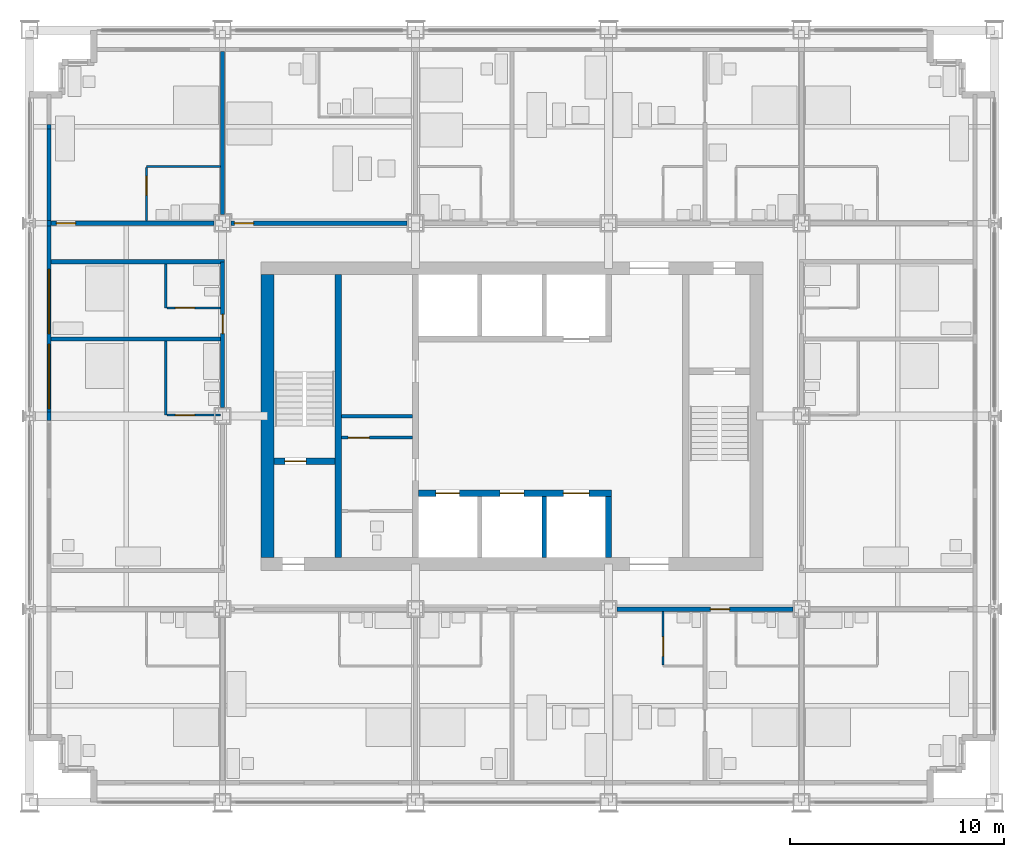
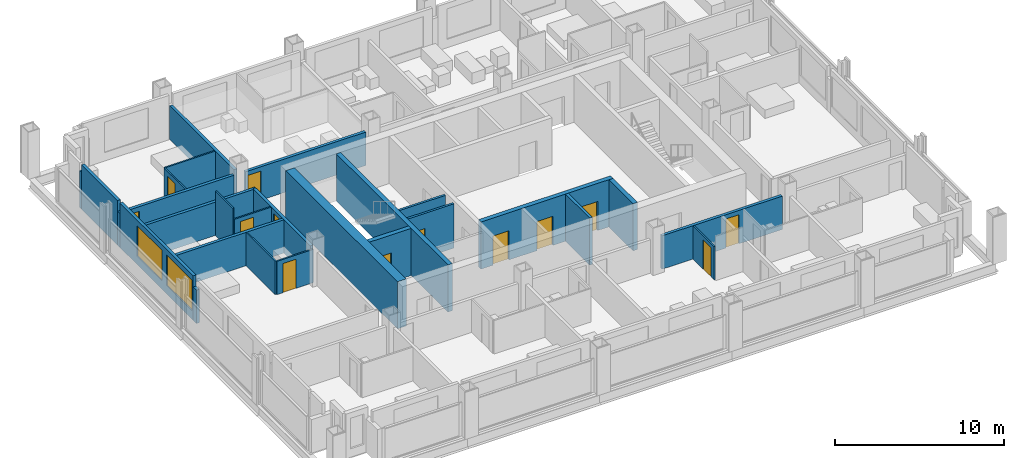
# One storey, part 10 of 16: 27 walls, 13 doors, 2 windows, 15 openings.
"""IFC4 building model written with IfcOpenShell, lengths in metres."""

from ifc_helpers import new_model, si_unit, direction, frame, frame_2d, origin, place, context, subcontext, project, spatial, rectangle, extrude, material, layer, layer_set, type_object, element, fill, save


model = new_model("IFC4")

# Units and contexts
model_context = context("Model", 3, precision=1e-05, world=origin(), true_north=direction((0.0, 1.0)))
body_context = subcontext(model_context, "Body", "Model", "MODEL_VIEW")
ifc_project = project(units=[si_unit("LENGTHUNIT", "METRE"), si_unit("AREAUNIT", "SQUARE_METRE"), si_unit("VOLUMEUNIT", "CUBIC_METRE"), si_unit("PLANEANGLEUNIT", "RADIAN"), si_unit("MASSUNIT", "GRAM", prefix="KILO")], contexts=[model_context])

# Site, building, storey
site_placement = place(None, origin())
site = spatial("IfcSite", under=ifc_project, at=site_placement, CompositionType="ELEMENT")
building_placement = place(site_placement, origin())
building = spatial("IfcBuilding", under=site, at=building_placement, Name="Loomwork Tower", CompositionType="ELEMENT")
storey_placement = place(building_placement, frame((0.0, 0.0, 148.60009765625)))
storey = spatial("IfcBuildingStorey", under=building, at=storey_placement, Name="L40", CompositionType="ELEMENT", Elevation=148.60009765625)

# Wall
ifc_material_1 = material(Name="Concrete 14000 psi (97 MPa)", Category="concrete")
ifc_layer_1 = layer(ifc_material_1, 0.300048828125)
ifc_layer_set_1 = layer_set([ifc_layer_1], Name="Core shear wall 300")
wall_type_1 = type_object("IfcWallType", Name="Core shear wall 300", PredefinedType="SHEAR", material=ifc_layer_set_1)
wall_1_placement = place(storey_placement, frame((14.39990234375, 11.39990234375, 0.0), z_axis=(0.0, 0.0, 1.0), x_axis=(0.0, 1.0, 0.0)))
element("IfcWall", 1, at=wall_1_placement, inside=storey, type_object=wall_type_1, Name="Stair A east wall L40", PredefinedType="SHEAR", context=body_context, shape_type="SweptSolid", body=[
    extrude(rectangle(XDim=13.2001953125, YDim=0.300048828125, at=frame_2d((6.60009765625, 0.0))), origin(), (0.0, 0.0, 1.0), 3.39990234375),
])

# Wall, opening, door
wall_2_placement = place(storey_placement, frame((11.39990234375, 15.89990234375, 0.0), z_axis=(0.0, 0.0, 1.0), x_axis=(1.0, 0.0, 0.0)))
wall_2 = element("IfcWall", 2, at=wall_2_placement, inside=storey, type_object=wall_type_1, Name="Stair A south wall L40", PredefinedType="SHEAR", context=body_context, shape_type="SweptSolid", body=[
    extrude(rectangle(XDim=2.85009765625, YDim=0.300048828125, at=frame_2d((1.425048828125, 0.0))), origin(), (0.0, 0.0, 1.0), 3.39990234375),
])
opening_1_placement = place(wall_2_placement, frame((0.5, 0.0, 0.0)))
opening_1 = element("IfcOpeningElement", 3, at=opening_1_placement, cuts=wall_2, Name="Opening D4", PredefinedType="OPENING", context=body_context, shape_type="SweptSolid", body=[
    extrude(rectangle(XDim=1.0, YDim=2.10009765625, at=frame_2d((0.5, 1.050048828125))), frame((0.0, 0.159912109375, 0.0), z_axis=(0.0, -1.0, 0.0), x_axis=(1.0, 0.0, 0.0)), (0.0, 0.0, 1.0), 0.320068359375),
])
ifc_material_2 = material(Name="Hollow metal door and frame")
door_type_1 = type_object("IfcDoorType", Name="Stair door 1000", OperationType="SINGLE_SWING_RIGHT", PredefinedType="DOOR", material=ifc_material_2)
door_1_placement = place(opening_1_placement, origin())
door_1 = element("IfcDoor", 4, at=door_1_placement, inside=storey, type_object=door_type_1, Name="Stair A door", OperationType="SINGLE_SWING_LEFT", OverallHeight=2.10009765625, OverallWidth=1.0, PredefinedType="DOOR", context=body_context, shape_type="SweptSolid", body=[
    extrude(rectangle(XDim=1.0, YDim=2.10009765625, at=frame_2d((0.5, 1.050048828125))), frame((0.0, 0.02490234375, 0.0), z_axis=(0.0, -1.0, 0.0), x_axis=(1.0, 0.0, 0.0)), (0.0, 0.0, 1.0), 0.050048828125),
])
fill(opening_1, door_1)

# Wall, openings, doors
wall_3_placement = place(storey_placement, frame((18.14990234375, 14.39990234375, 0.0), z_axis=(0.0, 0.0, 1.0), x_axis=(1.0, 0.0, 0.0)))
wall_3 = element("IfcWall", 5, at=wall_3_placement, inside=storey, type_object=wall_type_1, Name="Lift front wall south L40", PredefinedType="SHEAR", context=body_context, shape_type="SweptSolid", body=[
    extrude(rectangle(XDim=9.0, YDim=0.300048828125, at=frame_2d((4.5, 0.0))), origin(), (0.0, 0.0, 1.0), 3.39990234375),
])
opening_2_placement = place(wall_3_placement, frame((0.800048828125, 0.0, 0.0)))
opening_2 = element("IfcOpeningElement", 6, at=opening_2_placement, cuts=wall_3, Name="Opening LD1", PredefinedType="OPENING", context=body_context, shape_type="SweptSolid", body=[
    extrude(rectangle(XDim=1.10009765625, YDim=2.10009765625, at=frame_2d((0.550048828125, 1.050048828125))), frame((0.0, 0.159912109375, 0.0), z_axis=(0.0, -1.0, 0.0), x_axis=(1.0, 0.0, 0.0)), (0.0, 0.0, 1.0), 0.320068359375),
])
opening_3_placement = place(wall_3_placement, frame((3.800048828125, 0.0, 0.0)))
opening_3 = element("IfcOpeningElement", 7, at=opening_3_placement, cuts=wall_3, Name="Opening LD1", PredefinedType="OPENING", context=body_context, shape_type="SweptSolid", body=[
    extrude(rectangle(XDim=1.10009765625, YDim=2.10009765625, at=frame_2d((0.550048828125, 1.050048828125))), frame((0.0, 0.159912109375, 0.0), z_axis=(0.0, -1.0, 0.0), x_axis=(1.0, 0.0, 0.0)), (0.0, 0.0, 1.0), 0.320068359375),
])
opening_4_placement = place(wall_3_placement, frame((6.75, 0.0, 0.0)))
opening_4 = element("IfcOpeningElement", 8, at=opening_4_placement, cuts=wall_3, Name="Opening LD2", PredefinedType="OPENING", context=body_context, shape_type="SweptSolid", body=[
    extrude(rectangle(XDim=1.199951171875, YDim=2.10009765625, at=frame_2d((0.60009765625, 1.050048828125))), frame((0.0, 0.159912109375, 0.0), z_axis=(0.0, -1.0, 0.0), x_axis=(1.0, 0.0, 0.0)), (0.0, 0.0, 1.0), 0.320068359375),
])
ifc_material_3 = material(Name="Hollow metal door and frame")
door_type_2 = type_object("IfcDoorType", Name="Lift landing door 1100", OperationType="SLIDING_TO_LEFT", PredefinedType="DOOR", material=ifc_material_3)
door_2_placement = place(opening_2_placement, origin())
door_2 = element("IfcDoor", 9, at=door_2_placement, inside=storey, type_object=door_type_2, Name="Lift landing door LB1", OperationType="SLIDING_TO_LEFT", OverallHeight=2.10009765625, OverallWidth=1.10009765625, PredefinedType="DOOR", context=body_context, shape_type="SweptSolid", body=[
    extrude(rectangle(XDim=1.10009765625, YDim=2.10009765625, at=frame_2d((0.550048828125, 1.050048828125))), frame((0.0, 0.02490234375, 0.0), z_axis=(0.0, -1.0, 0.0), x_axis=(1.0, 0.0, 0.0)), (0.0, 0.0, 1.0), 0.050048828125),
])
fill(opening_2, door_2)
door_3_placement = place(opening_3_placement, origin())
door_3 = element("IfcDoor", 10, at=door_3_placement, inside=storey, type_object=door_type_2, Name="Lift landing door LB2", OperationType="SLIDING_TO_LEFT", OverallHeight=2.10009765625, OverallWidth=1.10009765625, PredefinedType="DOOR", context=body_context, shape_type="SweptSolid", body=[
    extrude(rectangle(XDim=1.10009765625, YDim=2.10009765625, at=frame_2d((0.550048828125, 1.050048828125))), frame((0.0, 0.02490234375, 0.0), z_axis=(0.0, -1.0, 0.0), x_axis=(1.0, 0.0, 0.0)), (0.0, 0.0, 1.0), 0.050048828125),
])
fill(opening_3, door_3)
ifc_material_4 = material(Name="Hollow metal door and frame")
door_type_3 = type_object("IfcDoorType", Name="Lift landing door 1200", OperationType="SLIDING_TO_LEFT", PredefinedType="DOOR", material=ifc_material_4)
door_4_placement = place(opening_4_placement, origin())
door_4 = element("IfcDoor", 11, at=door_4_placement, inside=storey, type_object=door_type_3, Name="Lift landing door LF1", OperationType="SLIDING_TO_LEFT", OverallHeight=2.10009765625, OverallWidth=1.199951171875, PredefinedType="DOOR", context=body_context, shape_type="SweptSolid", body=[
    extrude(rectangle(XDim=1.199951171875, YDim=2.10009765625, at=frame_2d((0.60009765625, 1.050048828125))), frame((0.0, 0.02490234375, 0.0), z_axis=(0.0, -1.0, 0.0), x_axis=(1.0, 0.0, 0.0)), (0.0, 0.0, 1.0), 0.050048828125),
])
fill(opening_4, door_4)

# Walls
wall_4_placement = place(storey_placement, frame((27.0, 11.39990234375, 0.0), z_axis=(0.0, 0.0, 1.0), x_axis=(0.0, 1.0, 0.0)))
element("IfcWall", 12, at=wall_4_placement, inside=storey, type_object=wall_type_1, Name="Lift shaft end wall south L40", PredefinedType="SHEAR", context=body_context, shape_type="SweptSolid", body=[
    extrude(rectangle(XDim=2.85009765625, YDim=0.300048828125, at=frame_2d((1.425048828125, 0.0))), origin(), (0.0, 0.0, 1.0), 3.39990234375),
])
ifc_material_5 = material(Name="Concrete 14000 psi (97 MPa)", Category="concrete")
ifc_layer_2 = layer(ifc_material_5, 0.60009765625)
ifc_layer_set_2 = layer_set([ifc_layer_2], Name="Core shear wall 600")
wall_type_2 = type_object("IfcWallType", Name="Core shear wall 600", PredefinedType="SHEAR", material=ifc_layer_set_2)
wall_5_placement = place(storey_placement, frame((11.10009765625, 11.39990234375, 0.0), z_axis=(0.0, 0.0, 1.0), x_axis=(0.0, 1.0, 0.0)))
element("IfcWall", 13, at=wall_5_placement, inside=storey, type_object=wall_type_2, Name="Core wall west L40", PredefinedType="SHEAR", context=body_context, shape_type="SweptSolid", body=[
    extrude(rectangle(XDim=13.2001953125, YDim=0.60009765625, at=frame_2d((6.60009765625, 0.0))), origin(), (0.0, 0.0, 1.0), 3.39990234375),
])

# Wall, opening, door
ifc_material_6 = material(Name="Gypsum board on steel studs, one-hour", Category="steel")
ifc_layer_3 = layer(ifc_material_6, 0.199951171875)
ifc_layer_set_3 = layer_set([ifc_layer_3], Name="Corridor wall 200")
wall_type_3 = type_object("IfcWallType", Name="Corridor wall 200", PredefinedType="PARTITIONING", material=ifc_layer_set_3)
wall_6_placement = place(storey_placement, frame((27.39990234375, 9.0, 0.0), z_axis=(0.0, 0.0, 1.0), x_axis=(1.0, 0.0, 0.0)))
wall_6 = element("IfcWall", 14, at=wall_6_placement, inside=storey, type_object=wall_type_3, Name="South corridor wall 4", PredefinedType="PARTITIONING", context=body_context, shape_type="SweptSolid", body=[
    extrude(rectangle(XDim=8.2001953125, YDim=0.199951171875, at=frame_2d((4.10009765625, 0.0))), origin(), (0.0, 0.0, 1.0), 2.40478515625),
])
opening_5_placement = place(wall_6_placement, frame((4.35009765625, 0.0, 0.0)))
opening_5 = element("IfcOpeningElement", 15, at=opening_5_placement, cuts=wall_6, Name="Opening D1", PredefinedType="OPENING", context=body_context, shape_type="SweptSolid", body=[
    extrude(rectangle(XDim=0.89990234375, YDim=2.10009765625, at=frame_2d((0.449951171875, 1.050048828125))), frame((0.0, 0.10986328125, 0.0), z_axis=(0.0, -1.0, 0.0), x_axis=(1.0, 0.0, 0.0)), (0.0, 0.0, 1.0), 0.219970703125),
])
ifc_material_7 = material(Name="Hollow metal door and frame")
door_type_4 = type_object("IfcDoorType", Name="Guest room entry door 900", OperationType="SINGLE_SWING_LEFT", PredefinedType="DOOR", material=ifc_material_7)
door_5_placement = place(opening_5_placement, frame((0.89990234375, 0.0, 0.0), z_axis=(0.0, 0.0, 1.0), x_axis=(-1.0, 0.0, 0.0)))
door_5 = element("IfcDoor", 16, at=door_5_placement, inside=storey, type_object=door_type_4, Name="Guest room entry door L40 5", OperationType="SINGLE_SWING_RIGHT", OverallHeight=2.10009765625, OverallWidth=0.89990234375, PredefinedType="DOOR", context=body_context, shape_type="SweptSolid", body=[
    extrude(rectangle(XDim=0.89990234375, YDim=2.10009765625, at=frame_2d((0.449951171875, 1.050048828125))), frame((0.0, 0.02490234375, 0.0), z_axis=(0.0, -1.0, 0.0), x_axis=(1.0, 0.0, 0.0)), (0.0, 0.0, 1.0), 0.050048828125),
])
fill(opening_5, door_5)

wall_7_placement = place(storey_placement, frame((1.0, 27.0, 0.0), z_axis=(0.0, 0.0, 1.0), x_axis=(1.0, 0.0, 0.0)))
wall_7 = element("IfcWall", 17, at=wall_7_placement, inside=storey, type_object=wall_type_3, Name="North corridor wall 1", PredefinedType="PARTITIONING", context=body_context, shape_type="SweptSolid", body=[
    extrude(rectangle(XDim=7.60009765625, YDim=0.199951171875, at=frame_2d((3.800048828125, 0.0))), origin(), (0.0, 0.0, 1.0), 2.43798828125),
])
opening_6_placement = place(wall_7_placement, frame((0.25, 0.0, 0.0)))
opening_6 = element("IfcOpeningElement", 18, at=opening_6_placement, cuts=wall_7, Name="Opening D1", PredefinedType="OPENING", context=body_context, shape_type="SweptSolid", body=[
    extrude(rectangle(XDim=0.89990234375, YDim=2.10009765625, at=frame_2d((0.449951171875, 1.050048828125))), frame((0.0, 0.10986328125, 0.0), z_axis=(0.0, -1.0, 0.0), x_axis=(1.0, 0.0, 0.0)), (0.0, 0.0, 1.0), 0.219970703125),
])
door_6_placement = place(opening_6_placement, origin())
door_6 = element("IfcDoor", 19, at=door_6_placement, inside=storey, type_object=door_type_4, Name="Guest room entry door L40 7", OperationType="SINGLE_SWING_LEFT", OverallHeight=2.10009765625, OverallWidth=0.89990234375, PredefinedType="DOOR", context=body_context, shape_type="SweptSolid", body=[
    extrude(rectangle(XDim=0.89990234375, YDim=2.10009765625, at=frame_2d((0.449951171875, 1.050048828125))), frame((0.0, 0.02490234375, 0.0), z_axis=(0.0, -1.0, 0.0), x_axis=(1.0, 0.0, 0.0)), (0.0, 0.0, 1.0), 0.050048828125),
])
fill(opening_6, door_6)

wall_8_placement = place(storey_placement, frame((9.39990234375, 27.0, 0.0), z_axis=(0.0, 0.0, 1.0), x_axis=(1.0, 0.0, 0.0)))
wall_8 = element("IfcWall", 20, at=wall_8_placement, inside=storey, type_object=wall_type_3, Name="North corridor wall 2", PredefinedType="PARTITIONING", context=body_context, shape_type="SweptSolid", body=[
    extrude(rectangle(XDim=8.2001953125, YDim=0.199951171875, at=frame_2d((4.10009765625, 0.0))), origin(), (0.0, 0.0, 1.0), 2.40478515625),
])
opening_7_placement = place(wall_8_placement, frame((0.14990234375, 0.0, 0.0)))
opening_7 = element("IfcOpeningElement", 21, at=opening_7_placement, cuts=wall_8, Name="Opening D1", PredefinedType="OPENING", context=body_context, shape_type="SweptSolid", body=[
    extrude(rectangle(XDim=0.89990234375, YDim=2.10009765625, at=frame_2d((0.449951171875, 1.050048828125))), frame((0.0, 0.10986328125, 0.0), z_axis=(0.0, -1.0, 0.0), x_axis=(1.0, 0.0, 0.0)), (0.0, 0.0, 1.0), 0.219970703125),
])
door_7_placement = place(opening_7_placement, origin())
door_7 = element("IfcDoor", 22, at=door_7_placement, inside=storey, type_object=door_type_4, Name="Guest room entry door L40 8", OperationType="SINGLE_SWING_LEFT", OverallHeight=2.10009765625, OverallWidth=0.89990234375, PredefinedType="DOOR", context=body_context, shape_type="SweptSolid", body=[
    extrude(rectangle(XDim=0.89990234375, YDim=2.10009765625, at=frame_2d((0.449951171875, 1.050048828125))), frame((0.0, 0.02490234375, 0.0), z_axis=(0.0, -1.0, 0.0), x_axis=(1.0, 0.0, 0.0)), (0.0, 0.0, 1.0), 0.050048828125),
])
fill(opening_7, door_7)

wall_9_placement = place(storey_placement, frame((9.0, 18.39990234375, 0.0), z_axis=(0.0, 0.0, 1.0), x_axis=(0.0, 1.0, 0.0)))
wall_9 = element("IfcWall", 23, at=wall_9_placement, inside=storey, type_object=wall_type_3, Name="West corridor wall 2", PredefinedType="PARTITIONING", context=body_context, shape_type="SweptSolid", body=[
    extrude(rectangle(XDim=6.800048828125, YDim=0.199951171875, at=frame_2d((3.39990234375, 0.0))), origin(), (0.0, 0.0, 1.0), 2.40478515625),
])
opening_8_placement = place(wall_9_placement, frame((3.449951171875, 0.0, 0.0)))
opening_8 = element("IfcOpeningElement", 24, at=opening_8_placement, cuts=wall_9, Name="Opening D1", PredefinedType="OPENING", context=body_context, shape_type="SweptSolid", body=[
    extrude(rectangle(XDim=0.89990234375, YDim=2.10009765625, at=frame_2d((0.449951171875, 1.050048828125))), frame((0.0, 0.10986328125, 0.0), z_axis=(0.0, -1.0, 0.0), x_axis=(1.0, 0.0, 0.0)), (0.0, 0.0, 1.0), 0.219970703125),
])
door_8_placement = place(opening_8_placement, origin())
door_8 = element("IfcDoor", 25, at=door_8_placement, inside=storey, type_object=door_type_4, Name="Guest room entry door L40 14", OperationType="SINGLE_SWING_LEFT", OverallHeight=2.10009765625, OverallWidth=0.89990234375, PredefinedType="DOOR", context=body_context, shape_type="SweptSolid", body=[
    extrude(rectangle(XDim=0.89990234375, YDim=2.10009765625, at=frame_2d((0.449951171875, 1.050048828125))), frame((0.0, 0.02490234375, 0.0), z_axis=(0.0, -1.0, 0.0), x_axis=(1.0, 0.0, 0.0)), (0.0, 0.0, 1.0), 0.050048828125),
])
fill(opening_8, door_8)

# Wall
wall_10_placement = place(storey_placement, frame((1.0, 25.199951171875, 0.0), z_axis=(0.0, 0.0, 1.0), x_axis=(1.0, 0.0, 0.0)))
element("IfcWall", 26, at=wall_10_placement, inside=storey, type_object=wall_type_3, Name="West band end wall N", PredefinedType="PARTITIONING", context=body_context, shape_type="SweptSolid", body=[
    extrude(rectangle(XDim=8.10009765625, YDim=0.199951171875, at=frame_2d((4.050048828125, 0.0))), origin(), (0.0, 0.0, 1.0), 2.40380859375),
])

# Wall, opening, door
ifc_material_8 = material(Name="Cement board on steel studs", Category="steel")
ifc_layer_4 = layer(ifc_material_8, 0.10009765625)
ifc_layer_set_4 = layer_set([ifc_layer_4], Name="En-suite partition 100")
wall_type_4 = type_object("IfcWallType", Name="En-suite partition 100", PredefinedType="PARTITIONING", material=ifc_layer_set_4)
wall_11_placement = place(storey_placement, frame((29.550048828125, 8.89990234375, 0.0), z_axis=(0.0, 0.0, 1.0), x_axis=(0.0, -1.0, 0.0)))
wall_11 = element("IfcWall", 27, at=wall_11_placement, inside=storey, type_object=wall_type_4, Name="En-suite side wall L40 room 4", PredefinedType="PARTITIONING", context=body_context, shape_type="SweptSolid", body=[
    extrude(rectangle(XDim=2.5, YDim=0.10009765625, at=frame_2d((1.25, 0.0))), origin(), (0.0, 0.0, 1.0), 2.40380859375),
])
opening_9_placement = place(wall_11_placement, frame((1.199951171875, 0.0, 0.0)))
opening_9 = element("IfcOpeningElement", 28, at=opening_9_placement, cuts=wall_11, Name="Opening D2", PredefinedType="OPENING", context=body_context, shape_type="SweptSolid", body=[
    extrude(rectangle(XDim=0.89990234375, YDim=2.10009765625, at=frame_2d((0.449951171875, 1.050048828125))), frame((0.0, 0.06005859375, 0.0), z_axis=(0.0, -1.0, 0.0), x_axis=(1.0, 0.0, 0.0)), (0.0, 0.0, 1.0), 0.1201171875),
])
ifc_material_9 = material(Name="Hollow metal door and frame")
door_type_5 = type_object("IfcDoorType", Name="En-suite door 900", OperationType="SINGLE_SWING_LEFT", PredefinedType="DOOR", material=ifc_material_9)
door_9_placement = place(opening_9_placement, origin())
door_9 = element("IfcDoor", 29, at=door_9_placement, inside=storey, type_object=door_type_5, Name="Suite powder room door room 4", OperationType="SINGLE_SWING_RIGHT", OverallHeight=2.10009765625, OverallWidth=0.89990234375, PredefinedType="DOOR", context=body_context, shape_type="SweptSolid", body=[
    extrude(rectangle(XDim=0.89990234375, YDim=2.10009765625, at=frame_2d((0.449951171875, 1.050048828125))), frame((0.0, 0.02490234375, 0.0), z_axis=(0.0, -1.0, 0.0), x_axis=(1.0, 0.0, 0.0)), (0.0, 0.0, 1.0), 0.050048828125),
])
fill(opening_9, door_9)

# Wall
wall_12_placement = place(storey_placement, frame((5.449951171875, 29.64990234375, 0.0), z_axis=(0.0, 0.0, 1.0), x_axis=(1.0, 0.0, 0.0)))
element("IfcWall", 30, at=wall_12_placement, inside=storey, type_object=wall_type_4, Name="En-suite wall L40 room 7", PredefinedType="PARTITIONING", context=body_context, shape_type="SweptSolid", body=[
    extrude(rectangle(XDim=3.449951171875, YDim=0.10009765625, at=frame_2d((1.72509765625, 0.0))), origin(), (0.0, 0.0, 1.0), 2.43798828125),
])

# Wall, opening, door
wall_13_placement = place(storey_placement, frame((5.449951171875, 27.10009765625, 0.0), z_axis=(0.0, 0.0, 1.0), x_axis=(0.0, 1.0, 0.0)))
wall_13 = element("IfcWall", 31, at=wall_13_placement, inside=storey, type_object=wall_type_4, Name="En-suite side wall L40 room 7", PredefinedType="PARTITIONING", context=body_context, shape_type="SweptSolid", body=[
    extrude(rectangle(XDim=2.5, YDim=0.10009765625, at=frame_2d((1.25, 0.0))), origin(), (0.0, 0.0, 1.0), 2.43798828125),
])
opening_10_placement = place(wall_13_placement, frame((1.199951171875, 0.0, 0.0)))
opening_10 = element("IfcOpeningElement", 32, at=opening_10_placement, cuts=wall_13, Name="Opening D2", PredefinedType="OPENING", context=body_context, shape_type="SweptSolid", body=[
    extrude(rectangle(XDim=0.89990234375, YDim=2.10009765625, at=frame_2d((0.449951171875, 1.050048828125))), frame((0.0, 0.06005859375, 0.0), z_axis=(0.0, -1.0, 0.0), x_axis=(1.0, 0.0, 0.0)), (0.0, 0.0, 1.0), 0.1201171875),
])
door_10_placement = place(opening_10_placement, frame((0.89990234375, 0.0, 0.0), z_axis=(0.0, 0.0, 1.0), x_axis=(-1.0, 0.0, 0.0)))
door_10 = element("IfcDoor", 33, at=door_10_placement, inside=storey, type_object=door_type_5, Name="En-suite door room 7", OperationType="SINGLE_SWING_LEFT", OverallHeight=2.10009765625, OverallWidth=0.89990234375, PredefinedType="DOOR", context=body_context, shape_type="SweptSolid", body=[
    extrude(rectangle(XDim=0.89990234375, YDim=2.10009765625, at=frame_2d((0.449951171875, 1.050048828125))), frame((0.0, 0.02490234375, 0.0), z_axis=(0.0, -1.0, 0.0), x_axis=(1.0, 0.0, 0.0)), (0.0, 0.0, 1.0), 0.050048828125),
])
fill(opening_10, door_10)

# Wall
wall_14_placement = place(storey_placement, frame((6.35009765625, 18.050048828125, 0.0), z_axis=(0.0, 0.0, 1.0), x_axis=(0.0, 1.0, 0.0)))
element("IfcWall", 34, at=wall_14_placement, inside=storey, type_object=wall_type_4, Name="En-suite wall L40 room 13", PredefinedType="PARTITIONING", context=body_context, shape_type="SweptSolid", body=[
    extrude(rectangle(XDim=3.449951171875, YDim=0.10009765625, at=frame_2d((1.72509765625, 0.0))), origin(), (0.0, 0.0, 1.0), 2.40380859375),
])

# Wall, opening, door
wall_15_placement = place(storey_placement, frame((8.89990234375, 18.050048828125, 0.0), z_axis=(0.0, 0.0, 1.0), x_axis=(-1.0, 0.0, 0.0)))
wall_15 = element("IfcWall", 35, at=wall_15_placement, inside=storey, type_object=wall_type_4, Name="En-suite side wall L40 room 13", PredefinedType="PARTITIONING", context=body_context, shape_type="SweptSolid", body=[
    extrude(rectangle(XDim=2.5, YDim=0.10009765625, at=frame_2d((1.25, 0.0))), origin(), (0.0, 0.0, 1.0), 2.40478515625),
])
opening_11_placement = place(wall_15_placement, frame((1.199951171875, 0.0, 0.0)))
opening_11 = element("IfcOpeningElement", 36, at=opening_11_placement, cuts=wall_15, Name="Opening D2", PredefinedType="OPENING", context=body_context, shape_type="SweptSolid", body=[
    extrude(rectangle(XDim=0.89990234375, YDim=2.10009765625, at=frame_2d((0.449951171875, 1.050048828125))), frame((0.0, 0.06005859375, 0.0), z_axis=(0.0, -1.0, 0.0), x_axis=(1.0, 0.0, 0.0)), (0.0, 0.0, 1.0), 0.1201171875),
])
door_11_placement = place(opening_11_placement, frame((0.89990234375, 0.0, 0.0), z_axis=(0.0, 0.0, 1.0), x_axis=(-1.0, 0.0, 0.0)))
door_11 = element("IfcDoor", 37, at=door_11_placement, inside=storey, type_object=door_type_5, Name="En-suite door room 13", OperationType="SINGLE_SWING_LEFT", OverallHeight=2.10009765625, OverallWidth=0.89990234375, PredefinedType="DOOR", context=body_context, shape_type="SweptSolid", body=[
    extrude(rectangle(XDim=0.89990234375, YDim=2.10009765625, at=frame_2d((0.449951171875, 1.050048828125))), frame((0.0, 0.02490234375, 0.0), z_axis=(0.0, -1.0, 0.0), x_axis=(1.0, 0.0, 0.0)), (0.0, 0.0, 1.0), 0.050048828125),
])
fill(opening_11, door_11)

# Wall
wall_16_placement = place(storey_placement, frame((6.35009765625, 23.050048828125, 0.0), z_axis=(0.0, 0.0, 1.0), x_axis=(0.0, 1.0, 0.0)))
element("IfcWall", 38, at=wall_16_placement, inside=storey, type_object=wall_type_4, Name="En-suite wall L40 room 14", PredefinedType="PARTITIONING", context=body_context, shape_type="SweptSolid", body=[
    extrude(rectangle(XDim=2.050048828125, YDim=0.10009765625, at=frame_2d((1.02490234375, 0.0))), origin(), (0.0, 0.0, 1.0), 3.199951171875),
])

# Wall, opening, door
wall_17_placement = place(storey_placement, frame((8.89990234375, 23.050048828125, 0.0), z_axis=(0.0, 0.0, 1.0), x_axis=(-1.0, 0.0, 0.0)))
wall_17 = element("IfcWall", 39, at=wall_17_placement, inside=storey, type_object=wall_type_4, Name="En-suite side wall L40 room 14", PredefinedType="PARTITIONING", context=body_context, shape_type="SweptSolid", body=[
    extrude(rectangle(XDim=2.5, YDim=0.10009765625, at=frame_2d((1.25, 0.0))), origin(), (0.0, 0.0, 1.0), 2.40380859375),
])
opening_12_placement = place(wall_17_placement, frame((1.199951171875, 0.0, 0.0)))
opening_12 = element("IfcOpeningElement", 40, at=opening_12_placement, cuts=wall_17, Name="Opening D2", PredefinedType="OPENING", context=body_context, shape_type="SweptSolid", body=[
    extrude(rectangle(XDim=0.89990234375, YDim=2.10009765625, at=frame_2d((0.449951171875, 1.050048828125))), frame((0.0, 0.06005859375, 0.0), z_axis=(0.0, -1.0, 0.0), x_axis=(1.0, 0.0, 0.0)), (0.0, 0.0, 1.0), 0.1201171875),
])
door_12_placement = place(opening_12_placement, frame((0.89990234375, 0.0, 0.0), z_axis=(0.0, 0.0, 1.0), x_axis=(-1.0, 0.0, 0.0)))
door_12 = element("IfcDoor", 41, at=door_12_placement, inside=storey, type_object=door_type_5, Name="En-suite door room 14", OperationType="SINGLE_SWING_LEFT", OverallHeight=2.10009765625, OverallWidth=0.89990234375, PredefinedType="DOOR", context=body_context, shape_type="SweptSolid", body=[
    extrude(rectangle(XDim=0.89990234375, YDim=2.10009765625, at=frame_2d((0.449951171875, 1.050048828125))), frame((0.0, 0.02490234375, 0.0), z_axis=(0.0, -1.0, 0.0), x_axis=(1.0, 0.0, 0.0)), (0.0, 0.0, 1.0), 0.050048828125),
])
fill(opening_12, door_12)

# Walls
ifc_material_10 = material(Name="Gypsum board on steel studs, acoustic", Category="steel")
ifc_layer_5 = layer(ifc_material_10, 0.199951171875)
ifc_layer_set_5 = layer_set([ifc_layer_5], Name="Guest room party wall 200")
wall_type_5 = type_object("IfcWallType", Name="Guest room party wall 200", PredefinedType="PARTITIONING", material=ifc_layer_set_5)
wall_18_placement = place(storey_placement, frame((9.0, 27.39990234375, 0.0), z_axis=(0.0, 0.0, 1.0), x_axis=(0.0, 1.0, 0.0)))
element("IfcWall", 42, at=wall_18_placement, inside=storey, type_object=wall_type_5, Name="Guest room party wall N 9", PredefinedType="PARTITIONING", context=body_context, shape_type="SweptSolid", body=[
    extrude(rectangle(XDim=7.60009765625, YDim=0.199951171875, at=frame_2d((3.800048828125, 0.0))), origin(), (0.0, 0.0, 1.0), 2.43798828125),
])
wall_19_placement = place(storey_placement, frame((8.89990234375, 21.60009765625, 0.0), z_axis=(0.0, 0.0, 1.0), x_axis=(-1.0, 0.0, 0.0)))
element("IfcWall", 43, at=wall_19_placement, inside=storey, type_object=wall_type_5, Name="Guest room party wall W 21.6", PredefinedType="PARTITIONING", context=body_context, shape_type="SweptSolid", body=[
    extrude(rectangle(XDim=7.89990234375, YDim=0.199951171875, at=frame_2d((3.949951171875, 0.0))), origin(), (0.0, 0.0, 1.0), 2.40380859375),
])
ifc_material_11 = material(Name="Insulated steel stud wall with gypsum lining", Category="steel")
ifc_layer_6 = layer(ifc_material_11, 0.199951171875)
ifc_layer_set_6 = layer_set([ifc_layer_6], Name="Inner skin wall 200")
wall_type_6 = type_object("IfcWallType", Name="Inner skin wall 200", PredefinedType="SOLIDWALL", material=ifc_layer_set_6)
wall_20_placement = place(storey_placement, frame((0.89990234375, 17.80615234375, 0.0), z_axis=(0.0, 0.0, 1.0), x_axis=(0.0, 1.0, 0.0)))
element("IfcWall", 44, at=wall_20_placement, inside=storey, type_object=wall_type_6, Name="Inner skin wall W bay 6", PredefinedType="SOLIDWALL", context=body_context, shape_type="SweptSolid", body=[
    extrude(rectangle(XDim=0.3876953125, YDim=0.199951171875, at=frame_2d((0.19384765625, 0.0))), origin(), (0.0, 0.0, 1.0), 2.40380859375),
])

# Wall, openings, windows
wall_21_placement = place(storey_placement, frame((0.89990234375, 18.19384765625, 0.0), z_axis=(0.0, 0.0, 1.0), x_axis=(0.0, 1.0, 0.0)))
wall_21 = element("IfcWall", 45, at=wall_21_placement, inside=storey, type_object=wall_type_6, Name="Inner skin wall W bay 7", PredefinedType="SOLIDWALL", context=body_context, shape_type="SweptSolid", body=[
    extrude(rectangle(XDim=8.6708984375, YDim=0.199951171875, at=frame_2d((4.33544921875, 0.0))), origin(), (0.0, 0.0, 1.0), 3.199951171875),
])
opening_13_placement = place(wall_21_placement, frame((0.15625, 0.0, 0.60009765625)))
opening_13 = element("IfcOpeningElement", 46, at=opening_13_placement, cuts=wall_21, Name="Opening CH1", PredefinedType="OPENING", context=body_context, shape_type="SweptSolid", body=[
    extrude(rectangle(XDim=3.0, YDim=2.199951171875, at=frame_2d((1.5, 1.10009765625))), frame((0.0, 0.10986328125, 0.0), z_axis=(0.0, -1.0, 0.0), x_axis=(1.0, 0.0, 0.0)), (0.0, 0.0, 1.0), 0.219970703125),
])
opening_14_placement = place(wall_21_placement, frame((3.65625, 0.0, 0.60009765625)))
opening_14 = element("IfcOpeningElement", 47, at=opening_14_placement, cuts=wall_21, Name="Opening CH1", PredefinedType="OPENING", context=body_context, shape_type="SweptSolid", body=[
    extrude(rectangle(XDim=3.0, YDim=2.199951171875, at=frame_2d((1.5, 1.10009765625))), frame((0.0, 0.10986328125, 0.0), z_axis=(0.0, -1.0, 0.0), x_axis=(1.0, 0.0, 0.0)), (0.0, 0.0, 1.0), 0.219970703125),
])
ifc_material_12 = material(Name="Aluminium frame with clear insulated glass", Category="aluminium")
window_type = type_object("IfcWindowType", Name="Chicago window 3000", PartitioningType="TRIPLE_PANEL_VERTICAL", PredefinedType="WINDOW", material=ifc_material_12)
window_1_placement = place(opening_13_placement, origin())
window_1 = element("IfcWindow", 48, at=window_1_placement, inside=storey, type_object=window_type, Name="Chicago window L40 bay 12", OverallHeight=2.199951171875, OverallWidth=3.0, PartitioningType="TRIPLE_PANEL_VERTICAL", PredefinedType="WINDOW", context=body_context, shape_type="SweptSolid", body=[
    extrude(rectangle(XDim=3.0, YDim=2.199951171875, at=frame_2d((1.5, 1.10009765625))), frame((0.0, 0.030029296875, 0.0), z_axis=(0.0, -1.0, 0.0), x_axis=(1.0, 0.0, 0.0)), (0.0, 0.0, 1.0), 0.06005859375),
])
fill(opening_13, window_1)
window_2_placement = place(opening_14_placement, origin())
window_2 = element("IfcWindow", 49, at=window_2_placement, inside=storey, type_object=window_type, Name="Chicago window L40 bay 12", OverallHeight=2.199951171875, OverallWidth=3.0, PartitioningType="TRIPLE_PANEL_VERTICAL", PredefinedType="WINDOW", context=body_context, shape_type="SweptSolid", body=[
    extrude(rectangle(XDim=3.0, YDim=2.199951171875, at=frame_2d((1.5, 1.10009765625))), frame((0.0, 0.030029296875, 0.0), z_axis=(0.0, -1.0, 0.0), x_axis=(1.0, 0.0, 0.0)), (0.0, 0.0, 1.0), 0.06005859375),
])
fill(opening_14, window_2)

# Walls
wall_22_placement = place(storey_placement, frame((0.89990234375, 26.86474609375, 0.0), z_axis=(0.0, 0.0, 1.0), x_axis=(0.0, 1.0, 0.0)))
element("IfcWall", 50, at=wall_22_placement, inside=storey, type_object=wall_type_6, Name="Inner skin wall W bay 8", PredefinedType="SOLIDWALL", context=body_context, shape_type="SweptSolid", body=[
    extrude(rectangle(XDim=0.2705078125, YDim=0.199951171875, at=frame_2d((0.13525390625, 0.0))), origin(), (0.0, 0.0, 1.0), 2.43798828125),
])
wall_23_placement = place(storey_placement, frame((0.89990234375, 27.13525390625, 0.0), z_axis=(0.0, 0.0, 1.0), x_axis=(0.0, 1.0, 0.0)))
element("IfcWall", 51, at=wall_23_placement, inside=storey, type_object=wall_type_6, Name="Inner skin wall W bay 9", PredefinedType="SOLIDWALL", context=body_context, shape_type="SweptSolid", body=[
    extrude(rectangle(XDim=4.25732421875, YDim=0.199951171875, at=frame_2d((2.128662109375, 0.0))), origin(), (0.0, 0.0, 1.0), 3.199951171875),
])
wall_24_placement = place(storey_placement, frame((0.89990234375, 31.392578125, 0.0), z_axis=(0.0, 0.0, 1.0), x_axis=(0.0, 1.0, 0.0)))
element("IfcWall", 52, at=wall_24_placement, inside=storey, type_object=wall_type_6, Name="Inner skin wall W bay 10", PredefinedType="SOLIDWALL", context=body_context, shape_type="SweptSolid", body=[
    extrude(rectangle(XDim=0.21484375, YDim=0.199951171875, at=frame_2d((0.107421875, 0.0))), origin(), (0.0, 0.0, 1.0), 2.660888671875),
])
ifc_material_13 = material(Name="Concrete 14000 psi (97 MPa)", Category="concrete")
ifc_layer_7 = layer(ifc_material_13, 0.199951171875)
ifc_layer_set_7 = layer_set([ifc_layer_7], Name="Lift shaft wall 200")
wall_type_7 = type_object("IfcWallType", Name="Lift shaft wall 200", PredefinedType="SHEAR", material=ifc_layer_set_7)
wall_25_placement = place(storey_placement, frame((24.0, 11.39990234375, 0.0), z_axis=(0.0, 0.0, 1.0), x_axis=(0.0, 1.0, 0.0)))
element("IfcWall", 53, at=wall_25_placement, inside=storey, type_object=wall_type_7, Name="Lift shaft separation wall south 2 L40", PredefinedType="SHEAR", context=body_context, shape_type="SweptSolid", body=[
    extrude(rectangle(XDim=2.85009765625, YDim=0.199951171875, at=frame_2d((1.425048828125, 0.0))), origin(), (0.0, 0.0, 1.0), 3.39990234375),
])
ifc_material_14 = material(Name="Gypsum board on steel studs", Category="steel")
ifc_layer_8 = layer(ifc_material_14, 0.14990234375)
ifc_layer_set_8 = layer_set([ifc_layer_8], Name="Partition 150 two-hour")
wall_type_8 = type_object("IfcWallType", Name="Partition 150 two-hour", PredefinedType="PARTITIONING", material=ifc_layer_set_8)
wall_26_placement = place(storey_placement, frame((14.550048828125, 18.0, 0.0), z_axis=(0.0, 0.0, 1.0), x_axis=(1.0, 0.0, 0.0)))
element("IfcWall", 54, at=wall_26_placement, inside=storey, type_object=wall_type_8, Name="Back-of-house dividing wall L40", PredefinedType="PARTITIONING", context=body_context, shape_type="SweptSolid", body=[
    extrude(rectangle(XDim=3.300048828125, YDim=0.14990234375, at=frame_2d((1.64990234375, 0.0))), origin(), (0.0, 0.0, 1.0), 3.199951171875),
])

# Wall, opening, door
ifc_material_15 = material(Name="Gypsum board on steel studs, one-hour", Category="steel")
ifc_layer_9 = layer(ifc_material_15, 0.14990234375)
ifc_layer_set_9 = layer_set([ifc_layer_9], Name="Service partition 150")
wall_type_9 = type_object("IfcWallType", Name="Service partition 150", PredefinedType="PARTITIONING", material=ifc_layer_set_9)
wall_27_placement = place(storey_placement, frame((14.550048828125, 17.0, 0.0), z_axis=(0.0, 0.0, 1.0), x_axis=(1.0, 0.0, 0.0)))
wall_27 = element("IfcWall", 55, at=wall_27_placement, inside=storey, type_object=wall_type_9, Name="Riser enclosure L40", PredefinedType="PARTITIONING", context=body_context, shape_type="SweptSolid", body=[
    extrude(rectangle(XDim=3.300048828125, YDim=0.14990234375, at=frame_2d((1.64990234375, 0.0))), origin(), (0.0, 0.0, 1.0), 3.199951171875),
])
opening_15_placement = place(wall_27_placement, frame((0.300048828125, 0.0, 0.0)))
opening_15 = element("IfcOpeningElement", 56, at=opening_15_placement, cuts=wall_27, Name="Opening D18", PredefinedType="OPENING", context=body_context, shape_type="SweptSolid", body=[
    extrude(rectangle(XDim=1.0, YDim=2.10009765625, at=frame_2d((0.5, 1.050048828125))), frame((0.0, 0.0849609375, 0.0), z_axis=(0.0, -1.0, 0.0), x_axis=(1.0, 0.0, 0.0)), (0.0, 0.0, 1.0), 0.169921875),
])
ifc_material_16 = material(Name="Hollow metal door and frame")
door_type_6 = type_object("IfcDoorType", Name="Ninety-minute service door 1000", OperationType="SINGLE_SWING_LEFT", PredefinedType="DOOR", material=ifc_material_16)
door_13_placement = place(opening_15_placement, frame((1.0, 0.0, 0.0), z_axis=(0.0, 0.0, 1.0), x_axis=(-1.0, 0.0, 0.0)))
door_13 = element("IfcDoor", 57, at=door_13_placement, inside=storey, type_object=door_type_6, Name="Riser access door", OperationType="SINGLE_SWING_RIGHT", OverallHeight=2.10009765625, OverallWidth=1.0, PredefinedType="DOOR", context=body_context, shape_type="SweptSolid", body=[
    extrude(rectangle(XDim=1.0, YDim=2.10009765625, at=frame_2d((0.5, 1.050048828125))), frame((0.0, 0.02490234375, 0.0), z_axis=(0.0, -1.0, 0.0), x_axis=(1.0, 0.0, 0.0)), (0.0, 0.0, 1.0), 0.050048828125),
])
fill(opening_15, door_13)

save(model, "model.ifc")
